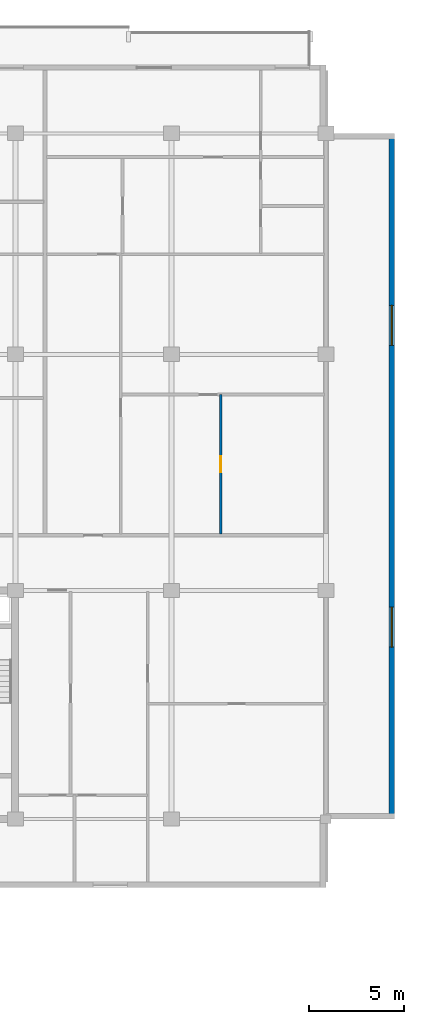
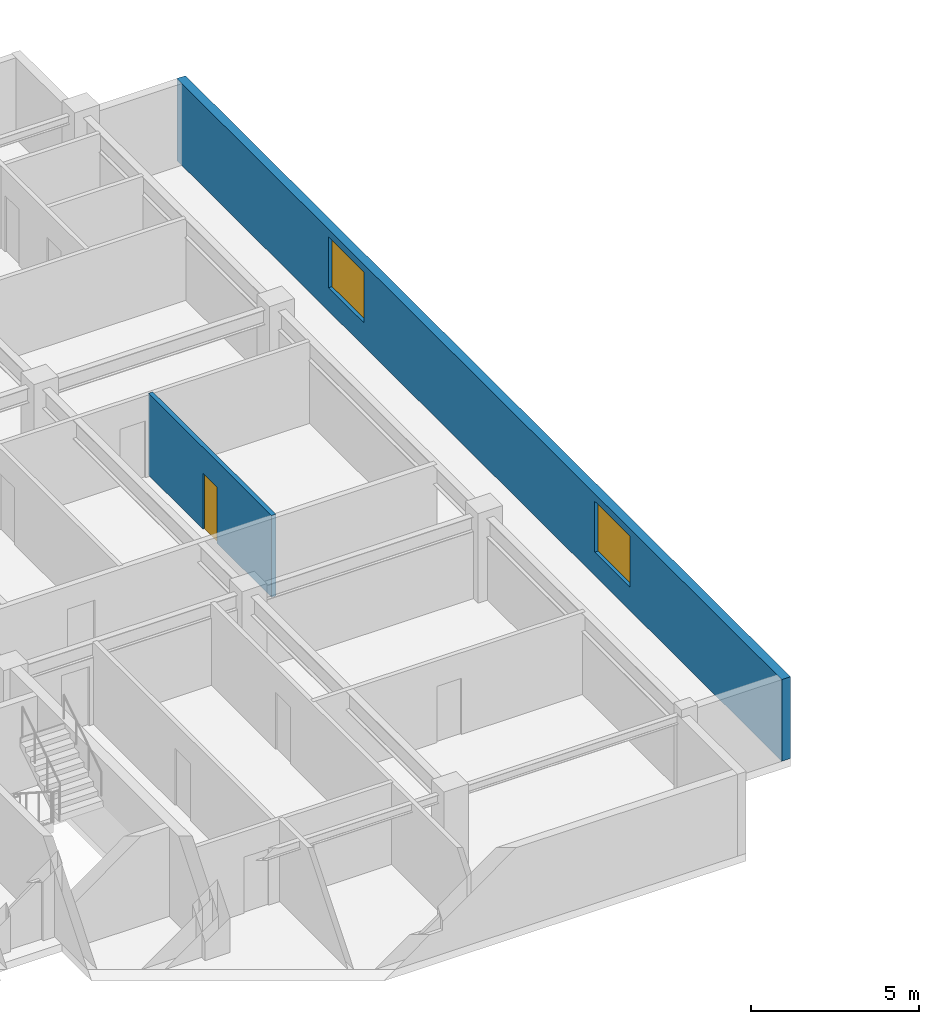
# One storey, part 6 of 11: 2 walls, 2 windows, 1 door, 3 openings.
"""IFC4 building model written with IfcOpenShell, lengths in metres."""

from ifc_helpers import new_model, si_unit, direction, frame, frame_2d, origin, place, context, subcontext, project, spatial, rectangle, extrude, material, layer, layer_set, type_object, element, fill, save


model = new_model("IFC4")

# Units and contexts
model_context = context("Model", 3, precision=1e-05, world=origin(), true_north=direction((0.0, 1.0)))
body_context = subcontext(model_context, "Body", "Model", "MODEL_VIEW")
ifc_project = project(units=[si_unit("LENGTHUNIT", "METRE"), si_unit("AREAUNIT", "SQUARE_METRE"), si_unit("VOLUMEUNIT", "CUBIC_METRE"), si_unit("PLANEANGLEUNIT", "RADIAN"), si_unit("MASSUNIT", "GRAM", prefix="KILO")], contexts=[model_context])

# Site, building, storey
site_placement = place(None, origin())
site = spatial("IfcSite", under=ifc_project, at=site_placement, CompositionType="ELEMENT")
building_placement = place(site_placement, origin())
building = spatial("IfcBuilding", under=site, at=building_placement, Name="Korimba Cascade Residences", CompositionType="ELEMENT")
storey_placement = place(building_placement, frame((0.0, 0.0, 220.60009765625)))
storey = spatial("IfcBuildingStorey", under=building, at=storey_placement, Name="L64", CompositionType="ELEMENT", Elevation=220.60009765625)

# Wall, openings, windows
ifc_material_1 = material(Name="Precast concrete C40/50", Category="concrete")
ifc_layer_1 = layer(ifc_material_1, 0.300048828125)
ifc_layer_set_1 = layer_set([ifc_layer_1], Name="Precast concrete C40/50")
wall_type_1 = type_object("IfcWallType", Name="EW-STONE-300", PredefinedType="STANDARD", material=ifc_layer_set_1)
wall_1_placement = place(storey_placement, frame((131.85009765625, 55.199951171875, 0.0), z_axis=(0.0, 0.0, 1.0), x_axis=(0.0, 1.0, 0.0)))
wall_1 = element("IfcWall", 1, at=wall_1_placement, inside=storey, type_object=wall_type_1, Name="L64 T1 Perimeter Stone Wall E03", PredefinedType="STANDARD", context=body_context, shape_type="SweptSolid", body=[
    extrude(rectangle(XDim=36.0, YDim=0.300048828125, at=frame_2d((18.0, 0.0))), origin(), (0.0, 0.0, 1.0), 2.969970703125),
])
opening_1_placement = place(wall_1_placement, frame((9.030029296875, 0.0, 0.85009765625)))
opening_1 = element("IfcOpeningElement", 2, at=opening_1_placement, cuts=wall_1, Name="Opening W-03", PredefinedType="OPENING", context=body_context, shape_type="SweptSolid", body=[
    extrude(rectangle(XDim=2.10009765625, YDim=1.85009765625, at=frame_2d((1.050048828125, 0.925048828125))), frame((0.0, 0.16015625, 0.0), z_axis=(0.0, -1.0, 0.0), x_axis=(1.0, 0.0, 0.0)), (0.0, 0.0, 1.0), 0.320068359375),
])
opening_2_placement = place(wall_1_placement, frame((24.8701171875, 0.0, 0.85009765625)))
opening_2 = element("IfcOpeningElement", 3, at=opening_2_placement, cuts=wall_1, Name="Opening W-03", PredefinedType="OPENING", context=body_context, shape_type="SweptSolid", body=[
    extrude(rectangle(XDim=2.10009765625, YDim=1.85009765625, at=frame_2d((1.050048828125, 0.925048828125))), frame((0.0, 0.16015625, 0.0), z_axis=(0.0, -1.0, 0.0), x_axis=(1.0, 0.0, 0.0)), (0.0, 0.0, 1.0), 0.320068359375),
])
ifc_material_2 = material(Name="Double-Glazed Aluminium Window", Category="aluminium")
window_type = type_object("IfcWindowType", Name="WIN-CRN-2100", PartitioningType="DOUBLE_PANEL_HORIZONTAL", PredefinedType="WINDOW", material=ifc_material_2)
window_1_placement = place(opening_1_placement, origin())
window_1 = element("IfcWindow", 4, at=window_1_placement, inside=storey, type_object=window_type, Name="L64 T1 End View Window 3.1", OverallHeight=1.85009765625, OverallWidth=2.10009765625, PartitioningType="DOUBLE_PANEL_HORIZONTAL", PredefinedType="WINDOW", context=body_context, shape_type="SweptSolid", body=[
    extrude(rectangle(XDim=2.10009765625, YDim=1.85009765625, at=frame_2d((1.050048828125, 0.925048828125))), frame((0.0, 0.030029296875, 0.0), z_axis=(0.0, -1.0, 0.0), x_axis=(1.0, 0.0, 0.0)), (0.0, 0.0, 1.0), 0.06005859375),
])
fill(opening_1, window_1)
window_2_placement = place(opening_2_placement, origin())
window_2 = element("IfcWindow", 5, at=window_2_placement, inside=storey, type_object=window_type, Name="L64 T1 End View Window 3.2", OverallHeight=1.85009765625, OverallWidth=2.10009765625, PartitioningType="DOUBLE_PANEL_HORIZONTAL", PredefinedType="WINDOW", context=body_context, shape_type="SweptSolid", body=[
    extrude(rectangle(XDim=2.10009765625, YDim=1.85009765625, at=frame_2d((1.050048828125, 0.925048828125))), frame((0.0, 0.030029296875, 0.0), z_axis=(0.0, -1.0, 0.0), x_axis=(1.0, 0.0, 0.0)), (0.0, 0.0, 1.0), 0.06005859375),
])
fill(opening_2, window_2)

# Wall, opening, door
ifc_material_3 = material(Name="Insulated Acoustic Stud Partition", Category="gypsum")
ifc_layer_2 = layer(ifc_material_3, 0.14990234375)
ifc_layer_set_2 = layer_set([ifc_layer_2], Name="Insulated Acoustic Stud Partition")
wall_type_2 = type_object("IfcWallType", Name="WAL-PART-150", PredefinedType="PARTITIONING", material=ifc_layer_set_2)
wall_2_placement = place(storey_placement, frame((122.883056640625, 70.159912109375, 0.0), z_axis=(0.0, 0.0, 1.0), x_axis=(0.0, 1.0, 0.0)))
wall_2 = element("IfcWall", 6, at=wall_2_placement, inside=storey, type_object=wall_type_2, Name="L64 Partition Wall WAL-L64-T1-U04-FMV", PredefinedType="PARTITIONING", context=body_context, shape_type="SweptSolid", body=[
    extrude(rectangle(XDim=7.3251953125, YDim=0.14990234375, at=frame_2d((3.66259765625, 0.0))), origin(), (0.0, 0.0, 1.0), 2.969970703125),
])
opening_3_placement = place(wall_2_placement, frame((3.242431640625, 0.0, 0.0)))
opening_3 = element("IfcOpeningElement", 7, at=opening_3_placement, cuts=wall_2, Name="Opening D-BT1", PredefinedType="OPENING", context=body_context, shape_type="SweptSolid", body=[
    extrude(rectangle(XDim=0.840087890625, YDim=2.0400390625, at=frame_2d((0.419921875, 1.02001953125))), frame((0.0, 0.0849609375, 0.0), z_axis=(0.0, -1.0, 0.0), x_axis=(1.0, 0.0, 0.0)), (0.0, 0.0, 1.0), 0.169921875),
])
ifc_material_4 = material(Name="Moisture-Resistant Bathroom Timber Door", Category="wood")
door_type = type_object("IfcDoorType", Name="DR-INT-850", OperationType="NOTDEFINED", PredefinedType="DOOR", material=ifc_material_4)
door_placement = place(opening_3_placement, origin())
door = element("IfcDoor", 8, at=door_placement, inside=storey, type_object=door_type, Name="L64-T1-U04 Wardrobe Door", OperationType="SINGLE_SWING_RIGHT", OverallHeight=2.0400390625, OverallWidth=0.840087890625, PredefinedType="DOOR", context=body_context, shape_type="SweptSolid", body=[
    extrude(rectangle(XDim=0.840087890625, YDim=2.0400390625, at=frame_2d((0.419921875, 1.02001953125))), frame((0.0, 0.02490234375, 0.0), z_axis=(0.0, -1.0, 0.0), x_axis=(1.0, 0.0, 0.0)), (0.0, 0.0, 1.0), 0.050048828125),
])
fill(opening_3, door)

save(model, "model.ifc")
